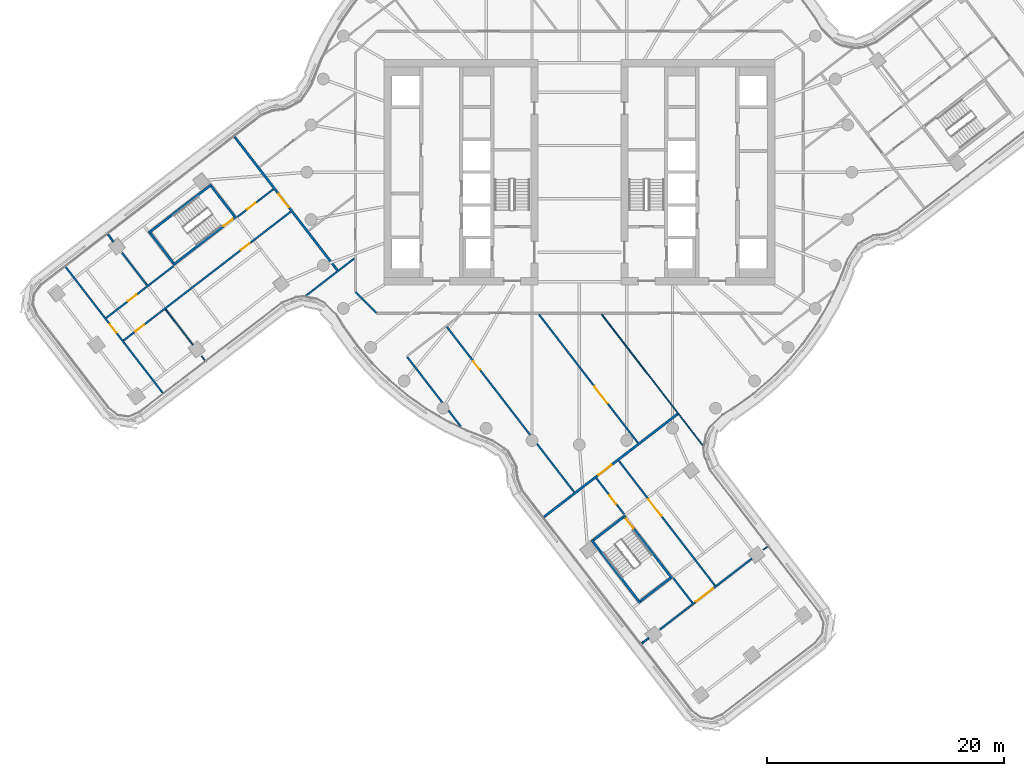
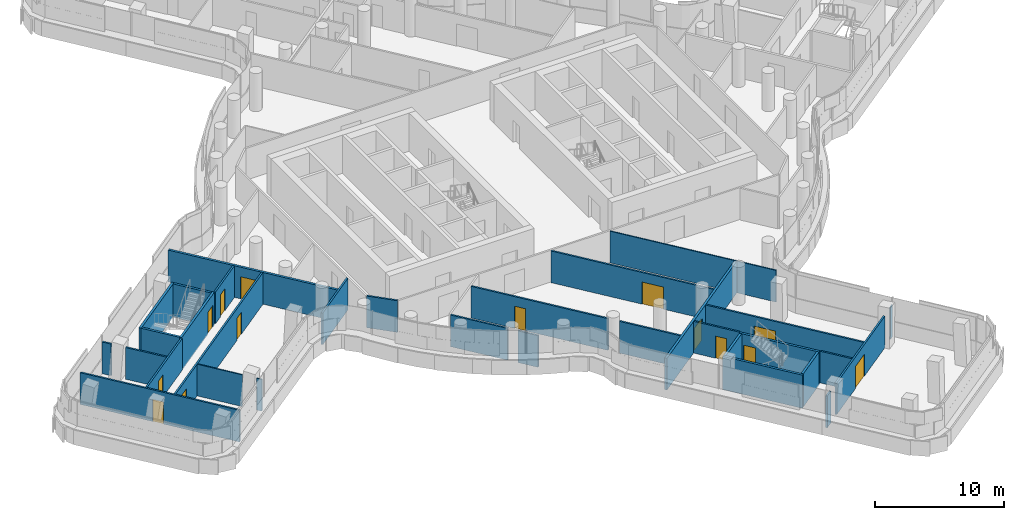
# One storey, part 20 of 33: 32 walls, 14 doors, 14 openings.
"""IFC4 building model written with IfcOpenShell, lengths in metres."""

from ifc_helpers import new_model, si_unit, direction, frame, frame_2d, origin, place, context, subcontext, project, spatial, polyline, rectangle, outline, extrude, material, layer, layer_set, type_object, element, fill, save


model = new_model("IFC4")

# Units and contexts
model_context = context("Model", 3, precision=1e-05, world=origin(), true_north=direction((0.0, 1.0)))
body_context = subcontext(model_context, "Body", "Model", "MODEL_VIEW")
ifc_project = project(units=[si_unit("LENGTHUNIT", "METRE"), si_unit("AREAUNIT", "SQUARE_METRE"), si_unit("VOLUMEUNIT", "CUBIC_METRE"), si_unit("PLANEANGLEUNIT", "RADIAN"), si_unit("MASSUNIT", "GRAM", prefix="KILO")], contexts=[model_context])

# Site, building, storey
site_placement = place(None, origin())
site = spatial("IfcSite", under=ifc_project, at=site_placement, CompositionType="ELEMENT")
building_placement = place(site_placement, origin())
building = spatial("IfcBuilding", under=site, at=building_placement, Name="Tamarind Cross Interchange Tower", CompositionType="ELEMENT")
storey_placement = place(building_placement, frame((0.0, 0.0, 170.5)))
storey = spatial("IfcBuildingStorey", under=building, at=storey_placement, Name="L42", CompositionType="ELEMENT", Elevation=170.5)

# Walls
ifc_material_1 = material(Name="Gypsum board partition on steel studs", Category="steel")
ifc_layer_1 = layer(ifc_material_1, 0.10009765625)
ifc_layer_set_1 = layer_set([ifc_layer_1], Name="Gypsum board partition on steel studs")
wall_type_1 = type_object("IfcWallType", Name="Partition 100 mm EI 90", PredefinedType="PARTITIONING", material=ifc_layer_set_1)
wall_1_placement = place(storey_placement, frame((-34.9267578125, -11.56884765625, 0.0), z_axis=(0.0, 0.0, 1.0), x_axis=(0.610232919871, -0.792222054418, 0.0)))
element("IfcWall", 1, at=wall_1_placement, inside=storey, type_object=wall_type_1, Name="Partition L42-004", PredefinedType="PARTITIONING", context=body_context, shape_type="SweptSolid", body=[
    extrude(rectangle(XDim=3.795166015625, YDim=0.10009765625, at=frame_2d((1.8974609375, 0.0))), origin(), (0.0, 0.0, 1.0), 3.010009765625),
])
wall_2_placement = place(storey_placement, frame((-31.8857421875, -15.516845703125, 0.0), z_axis=(0.0, 0.0, 1.0), x_axis=(0.609993434884, -0.792406467287, 0.0)))
element("IfcWall", 2, at=wall_2_placement, inside=storey, type_object=wall_type_1, Name="Partition L42-005", PredefinedType="PARTITIONING", context=body_context, shape_type="SweptSolid", body=[
    extrude(rectangle(XDim=0.458984375, YDim=0.10009765625, at=frame_2d((0.2294921875, 0.0))), origin(), (0.0, 0.0, 1.0), 3.010009765625),
])
wall_3_placement = place(storey_placement, frame((1.879150390625, -11.987060546875, 0.0), z_axis=(0.0, 0.0, 1.0), x_axis=(0.610355549793, -0.792127579899, 0.0)))
element("IfcWall", 3, at=wall_3_placement, inside=storey, type_object=wall_type_1, Name="Partition L42-024", PredefinedType="PARTITIONING", context=body_context, shape_type="SweptSolid", body=[
    extrude(rectangle(XDim=13.993896484375, YDim=0.10009765625, at=frame_2d((6.9970703125, 0.0))), origin(), (0.0, 0.0, 1.0), 3.010009765625),
])
wall_4_placement = place(storey_placement, frame((15.51611328125, -31.885009765625, 0.0), z_axis=(0.0, 0.0, 1.0), x_axis=(0.792149420114, 0.610327204222, 0.0)))
element("IfcWall", 4, at=wall_4_placement, inside=storey, type_object=wall_type_1, Name="Partition L42-062", PredefinedType="PARTITIONING", context=body_context, shape_type="SweptSolid", body=[
    extrude(rectangle(XDim=0.459228515625, YDim=0.10009765625, at=frame_2d((0.2294921875, 0.0))), origin(), (0.0, 0.0, 1.0), 3.010009765625),
])

# Wall, opening, door
ifc_layer_2 = layer(ifc_material_1, 0.14990234375)
ifc_layer_set_2 = layer_set([ifc_layer_2], Name="Gypsum board partition on steel studs")
wall_type_2 = type_object("IfcWallType", Name="Partition 150 mm EI 120", PredefinedType="PARTITIONING", material=ifc_layer_set_2)
wall_5_placement = place(storey_placement, frame((-43.357666015625, -7.99853515625, 0.0), z_axis=(0.0, 0.0, 1.0), x_axis=(0.610317907834, -0.792156582613, 0.0)))
wall_5 = element("IfcWall", 5, at=wall_5_placement, inside=storey, type_object=wall_type_2, Name="Partition L42-001", PredefinedType="PARTITIONING", context=body_context, shape_type="SweptSolid", body=[
    extrude(rectangle(XDim=13.40478515625, YDim=0.14990234375, at=frame_2d((6.702392578125, 0.0))), origin(), (0.0, 0.0, 1.0), 3.010009765625),
])
opening_1_placement = place(wall_5_placement, frame((6.098876953125, 0.0, 0.0)))
opening_1 = element("IfcOpeningElement", 6, at=opening_1_placement, cuts=wall_5, Name="Opening D01", PredefinedType="OPENING", context=body_context, shape_type="SweptSolid", body=[
    extrude(rectangle(XDim=0.89990234375, YDim=2.10009765625, at=frame_2d((0.449951171875, 1.050048828125))), frame((0.0, 0.0849609375, 0.0), z_axis=(0.0, -1.0, 0.0), x_axis=(1.0, 0.0, 0.0)), (0.0, 0.0, 1.0), 0.169921875),
])
ifc_material_2 = material(Name="Fire-resisting door set")
door_type_1 = type_object("IfcDoorType", Name="Interior door 900 x 2100 FD60S", OperationType="SINGLE_SWING_LEFT", PredefinedType="DOOR", material=ifc_material_2)
door_1_placement = place(opening_1_placement, frame((0.89990234375, 0.0, 0.0), z_axis=(0.0, 0.0, 1.0), x_axis=(-1.0, 0.0, 0.0)))
door_1 = element("IfcDoor", 7, at=door_1_placement, inside=storey, type_object=door_type_1, Name="Door D01", OperationType="SINGLE_SWING_LEFT", OverallHeight=2.10009765625, OverallWidth=0.89990234375, PredefinedType="DOOR", context=body_context, shape_type="SweptSolid", body=[
    extrude(rectangle(XDim=0.89990234375, YDim=2.10009765625, at=frame_2d((0.449951171875, 1.050048828125))), frame((0.0, 0.02490234375, 0.0), z_axis=(0.0, -1.0, 0.0), x_axis=(1.0, 0.0, 0.0)), (0.0, 0.0, 1.0), 0.050048828125),
])
fill(opening_1, door_1)

# Walls
wall_6_placement = place(storey_placement, frame((-39.79248046875, -5.251708984375, 0.0), z_axis=(0.0, 0.0, 1.0), x_axis=(0.610069295365, -0.792348064207, 0.0)))
element("IfcWall", 8, at=wall_6_placement, inside=storey, type_object=wall_type_2, Name="Partition L42-002", PredefinedType="PARTITIONING", context=body_context, shape_type="SweptSolid", body=[
    extrude(rectangle(XDim=0.7568359375, YDim=0.14990234375, at=frame_2d((0.37841796875, 0.0))), origin(), (0.0, 0.0, 1.0), 3.010009765625),
])
wall_7_placement = place(storey_placement, frame((-38.605712890625, -6.79248046875, 0.0), z_axis=(0.0, 0.0, 1.0), x_axis=(0.610216684476, -0.792234559955, 0.0)))
element("IfcWall", 9, at=wall_7_placement, inside=storey, type_object=wall_type_2, Name="Partition L42-003", PredefinedType="PARTITIONING", context=body_context, shape_type="SweptSolid", body=[
    extrude(rectangle(XDim=3.473876953125, YDim=0.14990234375, at=frame_2d((1.73681640625, 0.0))), origin(), (0.0, 0.0, 1.0), 3.010009765625),
])
wall_8_placement = place(storey_placement, frame((-14.519287109375, -15.607421875, 0.0), z_axis=(0.0, 0.0, 1.0), x_axis=(0.610346471548, -0.792134574848, 0.0)))
element("IfcWall", 10, at=wall_8_placement, inside=storey, type_object=wall_type_2, Name="Partition L42-008", PredefinedType="PARTITIONING", context=body_context, shape_type="SweptSolid", body=[
    extrude(rectangle(XDim=4.823974609375, YDim=0.14990234375, at=frame_2d((2.412109375, 0.0))), origin(), (0.0, 0.0, 1.0), 3.010009765625),
])
wall_9_placement = place(storey_placement, frame((-11.043701171875, -20.118408203125, 0.0), z_axis=(0.0, 0.0, 1.0), x_axis=(0.610360453682, -0.792123801297, 0.0)))
element("IfcWall", 11, at=wall_9_placement, inside=storey, type_object=wall_type_2, Name="Partition L42-009", PredefinedType="PARTITIONING", context=body_context, shape_type="SweptSolid", body=[
    extrude(rectangle(XDim=1.6884765625, YDim=0.14990234375, at=frame_2d((0.84423828125, 0.0))), origin(), (0.0, 0.0, 1.0), 3.010009765625),
])

# Wall, opening, door
wall_10_placement = place(storey_placement, frame((-11.189208984375, -13.04833984375, 0.0), z_axis=(0.0, 0.0, 1.0), x_axis=(0.610349031446, -0.792132602418, 0.0)))
wall_10 = element("IfcWall", 12, at=wall_10_placement, inside=storey, type_object=wall_type_2, Name="Partition L42-013", PredefinedType="PARTITIONING", context=body_context, shape_type="SweptSolid", body=[
    extrude(rectangle(XDim=11.53125, YDim=0.14990234375, at=frame_2d((5.765625, 0.0))), origin(), (0.0, 0.0, 1.0), 3.010009765625),
])
opening_2_placement = place(wall_10_placement, frame((3.669921875, 0.0, 0.0)))
opening_2 = element("IfcOpeningElement", 13, at=opening_2_placement, cuts=wall_10, Name="Opening D08", PredefinedType="OPENING", context=body_context, shape_type="SweptSolid", body=[
    extrude(rectangle(XDim=0.89990234375, YDim=2.10009765625, at=frame_2d((0.449951171875, 1.050048828125))), frame((0.0, 0.0849609375, 0.0), z_axis=(0.0, -1.0, 0.0), x_axis=(1.0, 0.0, 0.0)), (0.0, 0.0, 1.0), 0.169921875),
])
door_2_placement = place(opening_2_placement, frame((0.89990234375, 0.0, 0.0), z_axis=(0.0, 0.0, 1.0), x_axis=(-1.0, 0.0, 0.0)))
door_2 = element("IfcDoor", 14, at=door_2_placement, inside=storey, type_object=door_type_1, Name="Door D08", OperationType="SINGLE_SWING_LEFT", OverallHeight=2.10009765625, OverallWidth=0.89990234375, PredefinedType="DOOR", context=body_context, shape_type="SweptSolid", body=[
    extrude(rectangle(XDim=0.89990234375, YDim=2.10009765625, at=frame_2d((0.449951171875, 1.050048828125))), frame((0.0, 0.02490234375, 0.0), z_axis=(0.0, -1.0, 0.0), x_axis=(1.0, 0.0, 0.0)), (0.0, 0.0, 1.0), 0.050048828125),
])
fill(opening_2, door_2)

# Wall
wall_11_placement = place(storey_placement, frame((-3.575927734375, -22.92919921875, 0.0), z_axis=(0.0, 0.0, 1.0), x_axis=(0.610318133702, -0.792156408593, 0.0)))
element("IfcWall", 15, at=wall_11_placement, inside=storey, type_object=wall_type_2, Name="Partition L42-014", PredefinedType="PARTITIONING", context=body_context, shape_type="SweptSolid", body=[
    extrude(rectangle(XDim=5.146240234375, YDim=0.14990234375, at=frame_2d((2.5732421875, 0.0))), origin(), (0.0, 0.0, 1.0), 3.010009765625),
])

# Wall, opening, door
wall_12_placement = place(storey_placement, frame((-3.41064453125, -12.0029296875, 0.0), z_axis=(0.0, 0.0, 1.0), x_axis=(0.610364170435, -0.792120937388, 0.0)))
wall_12 = element("IfcWall", 16, at=wall_12_placement, inside=storey, type_object=wall_type_2, Name="Partition L42-018", PredefinedType="PARTITIONING", context=body_context, shape_type="SweptSolid", body=[
    extrude(rectangle(XDim=13.700927734375, YDim=0.14990234375, at=frame_2d((6.8505859375, 0.0))), origin(), (0.0, 0.0, 1.0), 3.010009765625),
])
opening_3_placement = place(wall_12_placement, frame((7.669921875, 0.0, 0.0)))
opening_3 = element("IfcOpeningElement", 17, at=opening_3_placement, cuts=wall_12, Name="Opening D10", PredefinedType="OPENING", context=body_context, shape_type="SweptSolid", body=[
    extrude(rectangle(XDim=1.800048828125, YDim=2.10009765625, at=frame_2d((0.89990234375, 1.050048828125))), frame((0.0, 0.0849609375, 0.0), z_axis=(0.0, -1.0, 0.0), x_axis=(1.0, 0.0, 0.0)), (0.0, 0.0, 1.0), 0.169921875),
])
door_type_2 = type_object("IfcDoorType", Name="Interior door 1800 x 2100 FD60S", OperationType="DOUBLE_DOOR_SINGLE_SWING", PredefinedType="DOOR", material=ifc_material_2)
door_3_placement = place(opening_3_placement, origin())
door_3 = element("IfcDoor", 18, at=door_3_placement, inside=storey, type_object=door_type_2, Name="Door D10", OperationType="DOUBLE_DOOR_SINGLE_SWING", OverallHeight=2.10009765625, OverallWidth=1.800048828125, PredefinedType="DOOR", context=body_context, shape_type="SweptSolid", body=[
    extrude(rectangle(XDim=1.800048828125, YDim=2.10009765625, at=frame_2d((0.89990234375, 1.050048828125))), frame((0.0, 0.02490234375, 0.0), z_axis=(0.0, -1.0, 0.0), x_axis=(1.0, 0.0, 0.0)), (0.0, 0.0, 1.0), 0.050048828125),
])
fill(opening_3, door_3)

wall_13_placement = place(storey_placement, frame((1.429931640625, -25.822265625, 0.0), z_axis=(0.0, 0.0, 1.0), x_axis=(0.610373930516, -0.792113416719, 0.0)))
wall_13 = element("IfcWall", 19, at=wall_13_placement, inside=storey, type_object=wall_type_2, Name="Partition L42-022", PredefinedType="PARTITIONING", context=body_context, shape_type="SweptSolid", body=[
    extrude(rectangle(XDim=3.859375, YDim=0.14990234375, at=frame_2d((1.9296875, 0.0))), origin(), (0.0, 0.0, 1.0), 3.010009765625),
])
opening_4_placement = place(wall_13_placement, frame((1.85009765625, 0.0, 0.0)))
opening_4 = element("IfcOpeningElement", 20, at=opening_4_placement, cuts=wall_13, Name="Opening D14", PredefinedType="OPENING", context=body_context, shape_type="SweptSolid", body=[
    extrude(rectangle(XDim=0.89990234375, YDim=2.10009765625, at=frame_2d((0.449951171875, 1.050048828125))), frame((0.0, 0.0849609375, 0.0), z_axis=(0.0, -1.0, 0.0), x_axis=(1.0, 0.0, 0.0)), (0.0, 0.0, 1.0), 0.169921875),
])
door_4_placement = place(opening_4_placement, frame((0.89990234375, 0.0, 0.0), z_axis=(0.0, 0.0, 1.0), x_axis=(-1.0, 0.0, 0.0)))
door_4 = element("IfcDoor", 21, at=door_4_placement, inside=storey, type_object=door_type_1, Name="Door D14", OperationType="SINGLE_SWING_RIGHT", OverallHeight=2.10009765625, OverallWidth=0.89990234375, PredefinedType="DOOR", context=body_context, shape_type="SweptSolid", body=[
    extrude(rectangle(XDim=0.89990234375, YDim=2.10009765625, at=frame_2d((0.449951171875, 1.050048828125))), frame((0.0, 0.02490234375, 0.0), z_axis=(0.0, -1.0, 0.0), x_axis=(1.0, 0.0, 0.0)), (0.0, 0.0, 1.0), 0.050048828125),
])
fill(opening_4, door_4)

# Wall
wall_14_placement = place(storey_placement, frame((7.923583984375, -34.25048828125, 0.0), z_axis=(0.0, 0.0, 1.0), x_axis=(0.610326897316, -0.792149656576, 0.0)))
element("IfcWall", 22, at=wall_14_placement, inside=storey, type_object=wall_type_2, Name="Partition L42-023", PredefinedType="PARTITIONING", context=body_context, shape_type="SweptSolid", body=[
    extrude(rectangle(XDim=2.68017578125, YDim=0.14990234375, at=frame_2d((1.340087890625, 0.0))), origin(), (0.0, 0.0, 1.0), 3.010009765625),
])

# Wall, opening, door
wall_15_placement = place(storey_placement, frame((3.34326171875, -24.373046875, 0.0), z_axis=(0.0, 0.0, 1.0), x_axis=(0.6103058516, -0.792165871205, 0.0)))
wall_15 = element("IfcWall", 23, at=wall_15_placement, inside=storey, type_object=wall_type_2, Name="Partition L42-025", PredefinedType="PARTITIONING", context=body_context, shape_type="SweptSolid", body=[
    extrude(rectangle(XDim=13.2998046875, YDim=0.14990234375, at=frame_2d((6.64990234375, 0.0))), origin(), (0.0, 0.0, 1.0), 3.010009765625),
])
opening_5_placement = place(wall_15_placement, frame((4.080078125, 0.0, 0.0)))
opening_5 = element("IfcOpeningElement", 24, at=opening_5_placement, cuts=wall_15, Name="Opening D15", PredefinedType="OPENING", context=body_context, shape_type="SweptSolid", body=[
    extrude(rectangle(XDim=1.800048828125, YDim=2.10009765625, at=frame_2d((0.89990234375, 1.050048828125))), frame((0.0, 0.0849609375, 0.0), z_axis=(0.0, -1.0, 0.0), x_axis=(1.0, 0.0, 0.0)), (0.0, 0.0, 1.0), 0.169921875),
])
door_5_placement = place(opening_5_placement, frame((1.800048828125, 0.0, 0.0), z_axis=(0.0, 0.0, 1.0), x_axis=(-1.0, 0.0, 0.0)))
door_5 = element("IfcDoor", 25, at=door_5_placement, inside=storey, type_object=door_type_2, Name="Door D15", OperationType="DOUBLE_DOOR_SINGLE_SWING", OverallHeight=2.10009765625, OverallWidth=1.800048828125, PredefinedType="DOOR", context=body_context, shape_type="SweptSolid", body=[
    extrude(rectangle(XDim=1.800048828125, YDim=2.10009765625, at=frame_2d((0.89990234375, 1.050048828125))), frame((0.0, 0.02490234375, 0.0), z_axis=(0.0, -1.0, 0.0), x_axis=(1.0, 0.0, 0.0)), (0.0, 0.0, 1.0), 0.050048828125),
])
fill(opening_5, door_5)

# Wall
wall_16_placement = place(storey_placement, frame((-18.87158203125, -10.12841796875, 0.0), z_axis=(0.0, 0.0, 1.0), x_axis=(0.707106781187, -0.707106781187, 0.0)))
element("IfcWall", 26, at=wall_16_placement, inside=storey, type_object=wall_type_2, Name="Partition L42-036", PredefinedType="PARTITIONING", context=body_context, shape_type="SweptSolid", body=[
    extrude(rectangle(XDim=2.465087890625, YDim=0.14990234375, at=frame_2d((1.232421875, 0.0))), origin(), (0.0, 0.0, 1.0), 3.010009765625),
])

# Wall, opening, door
wall_17_placement = place(storey_placement, frame((-39.9375, -12.30517578125, 0.0), z_axis=(0.0, 0.0, 1.0), x_axis=(0.792154738674, 0.61032030115, 0.0)))
wall_17 = element("IfcWall", 27, at=wall_17_placement, inside=storey, type_object=wall_type_2, Name="Partition L42-040", PredefinedType="PARTITIONING", context=body_context, shape_type="SweptSolid", body=[
    extrude(rectangle(XDim=7.17919921875, YDim=0.14990234375, at=frame_2d((3.589599609375, 0.0))), origin(), (0.0, 0.0, 1.0), 3.010009765625),
])
opening_6_placement = place(wall_17_placement, frame((2.320068359375, 0.0, 0.0)))
opening_6 = element("IfcOpeningElement", 28, at=opening_6_placement, cuts=wall_17, Name="Opening D24", PredefinedType="OPENING", context=body_context, shape_type="SweptSolid", body=[
    extrude(rectangle(XDim=0.89990234375, YDim=2.10009765625, at=frame_2d((0.449951171875, 1.050048828125))), frame((0.0, 0.0849609375, 0.0), z_axis=(0.0, -1.0, 0.0), x_axis=(1.0, 0.0, 0.0)), (0.0, 0.0, 1.0), 0.169921875),
])
door_6_placement = place(opening_6_placement, origin())
door_6 = element("IfcDoor", 29, at=door_6_placement, inside=storey, type_object=door_type_1, Name="Door D24", OperationType="SINGLE_SWING_RIGHT", OverallHeight=2.10009765625, OverallWidth=0.89990234375, PredefinedType="DOOR", context=body_context, shape_type="SweptSolid", body=[
    extrude(rectangle(XDim=0.89990234375, YDim=2.10009765625, at=frame_2d((0.449951171875, 1.050048828125))), frame((0.0, 0.02490234375, 0.0), z_axis=(0.0, -1.0, 0.0), x_axis=(1.0, 0.0, 0.0)), (0.0, 0.0, 1.0), 0.050048828125),
])
fill(opening_6, door_6)

wall_18_placement = place(storey_placement, frame((-28.87939453125, -3.785400390625, 0.0), z_axis=(0.0, 0.0, 1.0), x_axis=(0.792144001098, 0.610334237549, 0.0)))
wall_18 = element("IfcWall", 30, at=wall_18_placement, inside=storey, type_object=wall_type_2, Name="Partition L42-041", PredefinedType="PARTITIONING", context=body_context, shape_type="SweptSolid", body=[
    extrude(rectangle(XDim=3.859375, YDim=0.14990234375, at=frame_2d((1.9296875, 0.0))), origin(), (0.0, 0.0, 1.0), 3.010009765625),
])
opening_7_placement = place(wall_18_placement, frame((1.050048828125, 0.0, 0.0)))
opening_7 = element("IfcOpeningElement", 31, at=opening_7_placement, cuts=wall_18, Name="Opening D25", PredefinedType="OPENING", context=body_context, shape_type="SweptSolid", body=[
    extrude(rectangle(XDim=0.89990234375, YDim=2.10009765625, at=frame_2d((0.449951171875, 1.050048828125))), frame((0.0, 0.0849609375, 0.0), z_axis=(0.0, -1.0, 0.0), x_axis=(1.0, 0.0, 0.0)), (0.0, 0.0, 1.0), 0.169921875),
])
door_7_placement = place(opening_7_placement, origin())
door_7 = element("IfcDoor", 32, at=door_7_placement, inside=storey, type_object=door_type_1, Name="Door D25", OperationType="SINGLE_SWING_RIGHT", OverallHeight=2.10009765625, OverallWidth=0.89990234375, PredefinedType="DOOR", context=body_context, shape_type="SweptSolid", body=[
    extrude(rectangle(XDim=0.89990234375, YDim=2.10009765625, at=frame_2d((0.449951171875, 1.050048828125))), frame((0.0, 0.02490234375, 0.0), z_axis=(0.0, -1.0, 0.0), x_axis=(1.0, 0.0, 0.0)), (0.0, 0.0, 1.0), 0.050048828125),
])
fill(opening_7, door_7)

# Wall, openings, doors
wall_19_placement = place(storey_placement, frame((-38.4736328125, -14.207275390625, 0.0), z_axis=(0.0, 0.0, 1.0), x_axis=(0.792120990494, 0.610364101516, 0.0)))
wall_19 = element("IfcWall", 33, at=wall_19_placement, inside=storey, type_object=wall_type_2, Name="Partition L42-042", PredefinedType="PARTITIONING", context=body_context, shape_type="SweptSolid", body=[
    extrude(rectangle(XDim=17.800537109375, YDim=0.14990234375, at=frame_2d((8.900390625, 0.0))), origin(), (0.0, 0.0, 1.0), 3.010009765625),
])
opening_8_placement = place(wall_19_placement, frame((12.5205078125, 0.0, 0.0)))
opening_8 = element("IfcOpeningElement", 34, at=opening_8_placement, cuts=wall_19, Name="Opening D26", PredefinedType="OPENING", context=body_context, shape_type="SweptSolid", body=[
    extrude(rectangle(XDim=0.89990234375, YDim=2.10009765625, at=frame_2d((0.449951171875, 1.050048828125))), frame((0.0, 0.0849609375, 0.0), z_axis=(0.0, -1.0, 0.0), x_axis=(1.0, 0.0, 0.0)), (0.0, 0.0, 1.0), 0.169921875),
])
opening_9_placement = place(wall_19_placement, frame((1.27001953125, 0.0, 0.0)))
opening_9 = element("IfcOpeningElement", 35, at=opening_9_placement, cuts=wall_19, Name="Opening D27", PredefinedType="OPENING", context=body_context, shape_type="SweptSolid", body=[
    extrude(rectangle(XDim=0.89990234375, YDim=2.10009765625, at=frame_2d((0.449951171875, 1.050048828125))), frame((0.0, 0.0849609375, 0.0), z_axis=(0.0, -1.0, 0.0), x_axis=(1.0, 0.0, 0.0)), (0.0, 0.0, 1.0), 0.169921875),
])
door_8_placement = place(opening_8_placement, frame((0.89990234375, 0.0, 0.0), z_axis=(0.0, 0.0, 1.0), x_axis=(-1.0, 0.0, 0.0)))
door_8 = element("IfcDoor", 36, at=door_8_placement, inside=storey, type_object=door_type_1, Name="Door D26", OperationType="SINGLE_SWING_RIGHT", OverallHeight=2.10009765625, OverallWidth=0.89990234375, PredefinedType="DOOR", context=body_context, shape_type="SweptSolid", body=[
    extrude(rectangle(XDim=0.89990234375, YDim=2.10009765625, at=frame_2d((0.449951171875, 1.050048828125))), frame((0.0, 0.02490234375, 0.0), z_axis=(0.0, -1.0, 0.0), x_axis=(1.0, 0.0, 0.0)), (0.0, 0.0, 1.0), 0.050048828125),
])
fill(opening_8, door_8)
door_9_placement = place(opening_9_placement, frame((0.89990234375, 0.0, 0.0), z_axis=(0.0, 0.0, 1.0), x_axis=(-1.0, 0.0, 0.0)))
door_9 = element("IfcDoor", 37, at=door_9_placement, inside=storey, type_object=door_type_1, Name="Door D27", OperationType="SINGLE_SWING_LEFT", OverallHeight=2.10009765625, OverallWidth=0.89990234375, PredefinedType="DOOR", context=body_context, shape_type="SweptSolid", body=[
    extrude(rectangle(XDim=0.89990234375, YDim=2.10009765625, at=frame_2d((0.449951171875, 1.050048828125))), frame((0.0, 0.02490234375, 0.0), z_axis=(0.0, -1.0, 0.0), x_axis=(1.0, 0.0, 0.0)), (0.0, 0.0, 1.0), 0.050048828125),
])
fill(opening_9, door_9)

# Walls
wall_20_placement = place(storey_placement, frame((-23.072265625, -10.42041015625, 0.0), z_axis=(0.0, 0.0, 1.0), x_axis=(0.79217677678, 0.610291696102, 0.0)))
element("IfcWall", 38, at=wall_20_placement, inside=storey, type_object=wall_type_2, Name="Partition L42-045", PredefinedType="PARTITIONING", context=body_context, shape_type="SweptSolid", body=[
    extrude(rectangle(XDim=5.136962890625, YDim=0.14990234375, at=frame_2d((2.568359375, 0.0))), origin(), (0.0, 0.0, 1.0), 3.010009765625),
])
wall_21_placement = place(storey_placement, frame((5.251708984375, -39.79248046875, 0.0), z_axis=(0.0, 0.0, 1.0), x_axis=(0.792227944984, 0.610225272491, 0.0)))
element("IfcWall", 39, at=wall_21_placement, inside=storey, type_object=wall_type_2, Name="Partition L42-060", PredefinedType="PARTITIONING", context=body_context, shape_type="SweptSolid", body=[
    extrude(rectangle(XDim=0.756591796875, YDim=0.14990234375, at=frame_2d((0.37841796875, 0.0))), origin(), (0.0, 0.0, 1.0), 3.010009765625),
])

# Wall, opening, door
wall_22_placement = place(storey_placement, frame((6.79248046875, -38.60546875, 0.0), z_axis=(0.0, 0.0, 1.0), x_axis=(0.792179400611, 0.610288290275, 0.0)))
wall_22 = element("IfcWall", 40, at=wall_22_placement, inside=storey, type_object=wall_type_2, Name="Partition L42-061", PredefinedType="PARTITIONING", context=body_context, shape_type="SweptSolid", body=[
    extrude(rectangle(XDim=9.82373046875, YDim=0.14990234375, at=frame_2d((4.911865234375, 0.0))), origin(), (0.0, 0.0, 1.0), 3.010009765625),
])
opening_10_placement = place(wall_22_placement, frame((3.853759765625, 0.0, 0.0)))
opening_10 = element("IfcOpeningElement", 41, at=opening_10_placement, cuts=wall_22, Name="Opening D33", PredefinedType="OPENING", context=body_context, shape_type="SweptSolid", body=[
    extrude(rectangle(XDim=1.800048828125, YDim=2.10009765625, at=frame_2d((0.89990234375, 1.050048828125))), frame((0.0, 0.0849609375, 0.0), z_axis=(0.0, -1.0, 0.0), x_axis=(1.0, 0.0, 0.0)), (0.0, 0.0, 1.0), 0.169921875),
])
door_10_placement = place(opening_10_placement, origin())
door_10 = element("IfcDoor", 42, at=door_10_placement, inside=storey, type_object=door_type_2, Name="Door D33", OperationType="DOUBLE_DOOR_SINGLE_SWING", OverallHeight=2.10009765625, OverallWidth=1.800048828125, PredefinedType="DOOR", context=body_context, shape_type="SweptSolid", body=[
    extrude(rectangle(XDim=1.800048828125, YDim=2.10009765625, at=frame_2d((0.89990234375, 1.050048828125))), frame((0.0, 0.02490234375, 0.0), z_axis=(0.0, -1.0, 0.0), x_axis=(1.0, 0.0, 0.0)), (0.0, 0.0, 1.0), 0.050048828125),
])
fill(opening_10, door_10)

ifc_layer_3 = layer(ifc_material_1, 0.199951171875)
ifc_layer_set_3 = layer_set([ifc_layer_3], Name="Gypsum board partition on steel studs")
wall_type_3 = type_object("IfcWallType", Name="Partition 200 mm EI 180", PredefinedType="PARTITIONING", material=ifc_layer_set_3)
wall_23_placement = place(storey_placement, frame((-29.0986328125, 2.987548828125, 0.0), z_axis=(0.0, 0.0, 1.0), x_axis=(0.610216796322, -0.792234473806, 0.0)))
wall_23 = element("IfcWall", 43, at=wall_23_placement, inside=storey, type_object=wall_type_3, Name="Partition L42-006", PredefinedType="PARTITIONING", context=body_context, shape_type="SweptSolid", body=[
    extrude(rectangle(XDim=14.21923828125, YDim=0.199951171875, at=frame_2d((7.109619140625, 0.0))), origin(), (0.0, 0.0, 1.0), 3.010009765625),
])
opening_11_placement = place(wall_23_placement, frame((6.09912109375, 0.0, 0.0)))
opening_11 = element("IfcOpeningElement", 44, at=opening_11_placement, cuts=wall_23, Name="Opening D02", PredefinedType="OPENING", context=body_context, shape_type="SweptSolid", body=[
    extrude(rectangle(XDim=1.39990234375, YDim=2.10009765625, at=frame_2d((0.699951171875, 1.050048828125))), frame((0.0, 0.10986328125, 0.0), z_axis=(0.0, -1.0, 0.0), x_axis=(1.0, 0.0, 0.0)), (0.0, 0.0, 1.0), 0.219970703125),
])
door_type_3 = type_object("IfcDoorType", Name="Interior door 1400 x 2100 FD120S", OperationType="DOUBLE_DOOR_SINGLE_SWING", PredefinedType="DOOR", material=ifc_material_2)
door_11_placement = place(opening_11_placement, origin())
door_11 = element("IfcDoor", 45, at=door_11_placement, inside=storey, type_object=door_type_3, Name="Door D02", OperationType="DOUBLE_DOOR_SINGLE_SWING", OverallHeight=2.10009765625, OverallWidth=1.39990234375, PredefinedType="DOOR", context=body_context, shape_type="SweptSolid", body=[
    extrude(rectangle(XDim=1.39990234375, YDim=2.10009765625, at=frame_2d((0.699951171875, 1.050048828125))), frame((0.0, 0.02490234375, 0.0), z_axis=(0.0, -1.0, 0.0), x_axis=(1.0, 0.0, 0.0)), (0.0, 0.0, 1.0), 0.050048828125),
])
fill(opening_11, door_11)

wall_24_placement = place(storey_placement, frame((-2.987548828125, -29.0986328125, 0.0), z_axis=(0.0, 0.0, 1.0), x_axis=(0.792235021712, 0.610216084983, 0.0)))
wall_24 = element("IfcWall", 46, at=wall_24_placement, inside=storey, type_object=wall_type_3, Name="Partition L42-059", PredefinedType="PARTITIONING", context=body_context, shape_type="SweptSolid", body=[
    extrude(rectangle(XDim=14.2392578125, YDim=0.199951171875, at=frame_2d((7.11962890625, 0.0))), origin(), (0.0, 0.0, 1.0), 3.010009765625),
])
opening_12_placement = place(wall_24_placement, frame((5.799072265625, 0.0, 0.0)))
opening_12 = element("IfcOpeningElement", 47, at=opening_12_placement, cuts=wall_24, Name="Opening D32", PredefinedType="OPENING", context=body_context, shape_type="SweptSolid", body=[
    extrude(rectangle(XDim=1.39990234375, YDim=2.10009765625, at=frame_2d((0.699951171875, 1.050048828125))), frame((0.0, 0.10986328125, 0.0), z_axis=(0.0, -1.0, 0.0), x_axis=(1.0, 0.0, 0.0)), (0.0, 0.0, 1.0), 0.219970703125),
])
door_12_placement = place(opening_12_placement, origin())
door_12 = element("IfcDoor", 48, at=door_12_placement, inside=storey, type_object=door_type_3, Name="Door D32", OperationType="DOUBLE_DOOR_SINGLE_SWING", OverallHeight=2.10009765625, OverallWidth=1.39990234375, PredefinedType="DOOR", context=body_context, shape_type="SweptSolid", body=[
    extrude(rectangle(XDim=1.39990234375, YDim=2.10009765625, at=frame_2d((0.699951171875, 1.050048828125))), frame((0.0, 0.02490234375, 0.0), z_axis=(0.0, -1.0, 0.0), x_axis=(1.0, 0.0, 0.0)), (0.0, 0.0, 1.0), 0.050048828125),
])
fill(opening_12, door_12)

ifc_material_3 = material(Name="Concrete C40", Category="concrete")
ifc_layer_4 = layer(ifc_material_3, 0.199951171875)
ifc_layer_set_4 = layer_set([ifc_layer_4], Name="Concrete C40")
wall_type_4 = type_object("IfcWallType", Name="Stair shaft wall 200 mm Concrete C40", PredefinedType="SHEAR", material=ifc_layer_set_4)
wall_25_placement = place(storey_placement, frame((-28.97216796875, -3.730712890625, -0.139892578125), z_axis=(0.0, 0.0, 1.0), x_axis=(-0.792153700274, -0.610321648921, 0.0)))
wall_25 = element("IfcWall", 49, at=wall_25_placement, inside=storey, type_object=wall_type_4, Name="Core wall CWL-L42-ST5-H", PredefinedType="SHEAR", context=body_context, shape_type="SweptSolid", body=[
    extrude(rectangle(XDim=6.699951171875, YDim=0.199951171875, at=frame_2d((3.35009765625, 0.0))), origin(), (0.0, 0.0, 1.0), 3.14990234375),
])
opening_13_placement = place(wall_25_placement, frame((0.35009765625, 0.0, 0.0)))
opening_13 = element("IfcOpeningElement", 50, at=opening_13_placement, cuts=wall_25, Name="Opening ST5L42", PredefinedType="OPENING", context=body_context, shape_type="SweptSolid", body=[
    extrude(rectangle(XDim=1.0, YDim=2.10009765625, at=frame_2d((0.5, 1.050048828125))), frame((0.0, 0.10986328125, 0.0), z_axis=(0.0, -1.0, 0.0), x_axis=(1.0, 0.0, 0.0)), (0.0, 0.0, 1.0), 0.219970703125),
])
ifc_material_4 = material(Name="Steel, fire-resisting", Category="steel")
door_type_4 = type_object("IfcDoorType", Name="Core fire door 1000 x 2100 FD90", OperationType="SINGLE_SWING_LEFT", PredefinedType="DOOR", material=ifc_material_4)
door_13_placement = place(opening_13_placement, origin())
door_13 = element("IfcDoor", 51, at=door_13_placement, inside=storey, type_object=door_type_4, Name="L42 stair door ST5", OperationType="SINGLE_SWING_LEFT", OverallHeight=2.10009765625, OverallWidth=1.0, PredefinedType="DOOR", context=body_context, shape_type="SweptSolid", body=[
    extrude(rectangle(XDim=1.0, YDim=2.10009765625, at=frame_2d((0.5, 1.050048828125))), frame((0.0, 0.02490234375, 0.0), z_axis=(0.0, -1.0, 0.0), x_axis=(1.0, 0.0, 0.0)), (0.0, 0.0, 1.0), 0.050048828125),
])
fill(opening_13, door_13)

# Walls
wall_26_placement = place(storey_placement, frame((-31.04736328125, -1.037353515625, -0.139892578125), z_axis=(0.0, 0.0, 1.0), x_axis=(-0.792136083086, -0.610344514085, 0.0)))
element("IfcWall", 52, at=wall_26_placement, inside=storey, type_object=wall_type_4, Name="Core wall CWL-L42-ST5-C", PredefinedType="SHEAR", context=body_context, shape_type="SweptSolid", body=[
    extrude(rectangle(XDim=6.7001953125, YDim=0.199951171875, at=frame_2d((3.35009765625, 0.0))), origin(), (0.0, 0.0, 1.0), 3.14990234375),
])
wall_27_placement = place(storey_placement, frame((-31.0654296875, -1.177490234375, -0.139892578125), z_axis=(0.0, 0.0, 1.0), x_axis=(0.610289481398, -0.792178482979, 0.0)))
element("IfcWall", 53, at=wall_27_placement, inside=storey, type_object=wall_type_4, Name="Core wall CWL-L42-ST5-CE", PredefinedType="SHEAR", context=body_context, shape_type="SweptSolid", body=[
    extrude(rectangle(XDim=3.199951171875, YDim=0.199951171875, at=frame_2d((1.60009765625, 0.0))), origin(), (0.0, 0.0, 1.0), 3.14990234375),
])
wall_28_placement = place(storey_placement, frame((0.0, 0.0, -0.139892578125)))
element("IfcWall", 54, at=wall_28_placement, inside=storey, type_object=wall_type_4, Name="Core wall CWL-L42-ST5-CF", PredefinedType="SHEAR", context=body_context, shape_type="SweptSolid", body=[
    extrude(outline(polyline([(-36.13525390625, -5.083740234375), (-36.293701171875, -5.205810546875), (-34.3408203125, -7.74072265625), (-34.18212890625, -7.61865234375), (-36.13525390625, -5.083740234375)])), origin(), (0.0, 0.0, 1.0), 3.14990234375),
])

# Wall, opening, door
wall_29_placement = place(storey_placement, frame((3.730712890625, -28.97216796875, -0.139892578125), z_axis=(0.0, 0.0, 1.0), x_axis=(0.610321648921, -0.792153700274, 0.0)))
wall_29 = element("IfcWall", 55, at=wall_29_placement, inside=storey, type_object=wall_type_4, Name="Core wall CWL-L42-ST6-H", PredefinedType="SHEAR", context=body_context, shape_type="SweptSolid", body=[
    extrude(rectangle(XDim=6.699951171875, YDim=0.199951171875, at=frame_2d((3.35009765625, 0.0))), origin(), (0.0, 0.0, 1.0), 3.14990234375),
])
opening_14_placement = place(wall_29_placement, frame((0.35009765625, 0.0, 0.0)))
opening_14 = element("IfcOpeningElement", 56, at=opening_14_placement, cuts=wall_29, Name="Opening ST6L42", PredefinedType="OPENING", context=body_context, shape_type="SweptSolid", body=[
    extrude(rectangle(XDim=1.0, YDim=2.10009765625, at=frame_2d((0.5, 1.050048828125))), frame((0.0, 0.10986328125, 0.0), z_axis=(0.0, -1.0, 0.0), x_axis=(1.0, 0.0, 0.0)), (0.0, 0.0, 1.0), 0.219970703125),
])
door_14_placement = place(opening_14_placement, origin())
door_14 = element("IfcDoor", 57, at=door_14_placement, inside=storey, type_object=door_type_4, Name="L42 stair door ST6", OperationType="SINGLE_SWING_LEFT", OverallHeight=2.10009765625, OverallWidth=1.0, PredefinedType="DOOR", context=body_context, shape_type="SweptSolid", body=[
    extrude(rectangle(XDim=1.0, YDim=2.10009765625, at=frame_2d((0.5, 1.050048828125))), frame((0.0, 0.02490234375, 0.0), z_axis=(0.0, -1.0, 0.0), x_axis=(1.0, 0.0, 0.0)), (0.0, 0.0, 1.0), 0.050048828125),
])
fill(opening_14, door_14)

# Walls
wall_30_placement = place(storey_placement, frame((1.037353515625, -31.04736328125, -0.139892578125), z_axis=(0.0, 0.0, 1.0), x_axis=(0.610344514085, -0.792136083086, 0.0)))
element("IfcWall", 58, at=wall_30_placement, inside=storey, type_object=wall_type_4, Name="Core wall CWL-L42-ST6-C", PredefinedType="SHEAR", context=body_context, shape_type="SweptSolid", body=[
    extrude(rectangle(XDim=6.7001953125, YDim=0.199951171875, at=frame_2d((3.35009765625, 0.0))), origin(), (0.0, 0.0, 1.0), 3.14990234375),
])
wall_31_placement = place(storey_placement, frame((1.177490234375, -31.0654296875, -0.139892578125), z_axis=(0.0, 0.0, 1.0), x_axis=(0.792178482979, 0.610289481398, 0.0)))
element("IfcWall", 59, at=wall_31_placement, inside=storey, type_object=wall_type_4, Name="Core wall CWL-L42-ST6-CE", PredefinedType="SHEAR", context=body_context, shape_type="SweptSolid", body=[
    extrude(rectangle(XDim=3.199951171875, YDim=0.199951171875, at=frame_2d((1.60009765625, 0.0))), origin(), (0.0, 0.0, 1.0), 3.14990234375),
])
wall_32_placement = place(storey_placement, frame((0.0, 0.0, -0.139892578125)))
element("IfcWall", 60, at=wall_32_placement, inside=storey, type_object=wall_type_4, Name="Core wall CWL-L42-ST6-CF", PredefinedType="SHEAR", context=body_context, shape_type="SweptSolid", body=[
    extrude(outline(polyline([(5.083740234375, -36.13525390625), (5.205810546875, -36.293701171875), (7.74072265625, -34.3408203125), (7.61865234375, -34.18212890625), (5.083740234375, -36.13525390625)])), origin(), (0.0, 0.0, 1.0), 3.14990234375),
])

save(model, "model.ifc")
